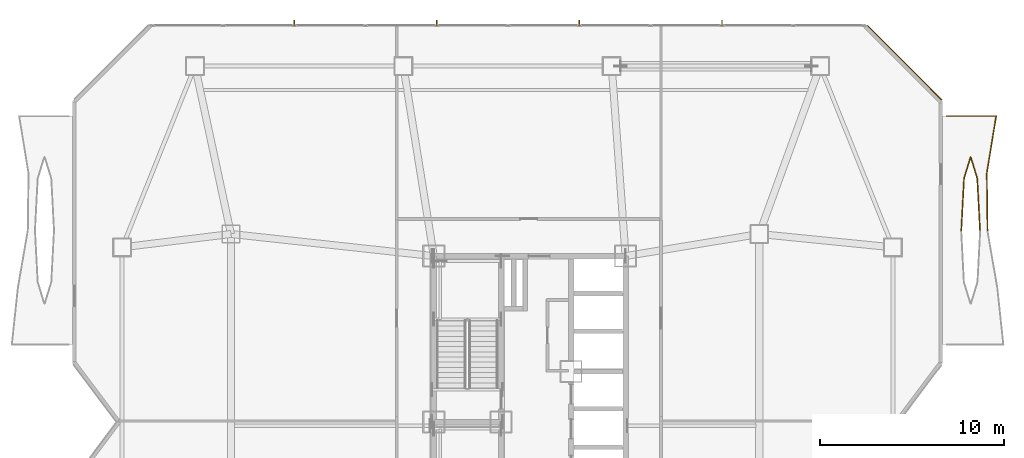
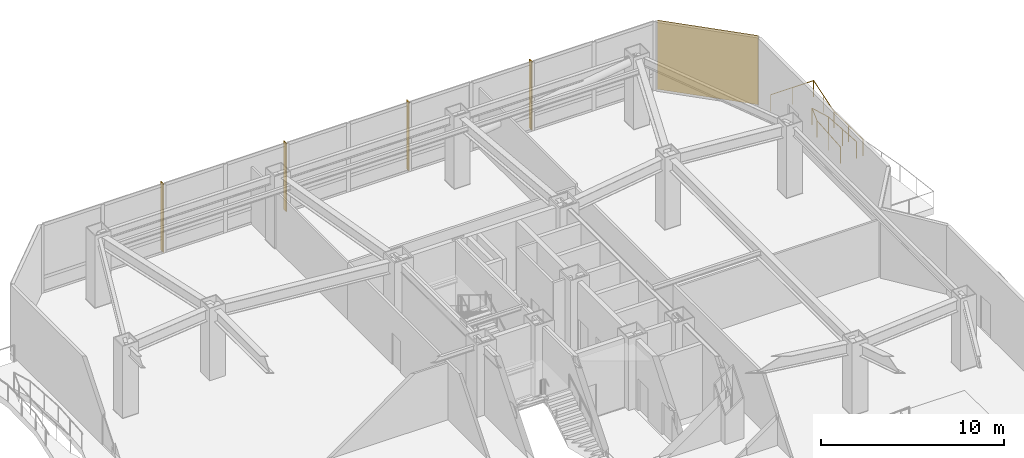
# One storey, part 14 of 14: 4 shading devices, 2 railings, 1 covering.
"""IFC4 building model written with IfcOpenShell, lengths in metres."""

from ifc_helpers import new_model, si_unit, direction, frame, origin, origin_2d, place, context, subcontext, project, spatial, rectangle, circle, extrude, material, layer, layer_set, type_object, element, save


model = new_model("IFC4")

# Units and contexts
model_context = context("Model", 3, precision=1e-05, world=origin(), true_north=direction((0.0, 1.0)))
body_context = subcontext(model_context, "Body", "Model", "MODEL_VIEW")
ifc_project = project(units=[si_unit("LENGTHUNIT", "METRE"), si_unit("AREAUNIT", "SQUARE_METRE"), si_unit("VOLUMEUNIT", "CUBIC_METRE"), si_unit("PLANEANGLEUNIT", "RADIAN"), si_unit("MASSUNIT", "GRAM", prefix="KILO")], contexts=[model_context])

# Site, building, storey
site_placement = place(None, origin())
site = spatial("IfcSite", under=ifc_project, at=site_placement, CompositionType="ELEMENT")
building_placement = place(site_placement, origin())
building = spatial("IfcBuilding", under=site, at=building_placement, Name="Khamvora Tower", CompositionType="ELEMENT")
storey_placement = place(building_placement, frame((0.0, 0.0, 89.800048828125)))
storey = spatial("IfcBuildingStorey", under=building, at=storey_placement, Name="L22", CompositionType="ELEMENT", Elevation=89.800048828125)

# Covering
ifc_material_1 = material(Name="Pale Anodised Aluminium Rainscreen Panel", Category="aluminium")
ifc_layer = layer(ifc_material_1, 0.044921875)
ifc_layer_set = layer_set([ifc_layer], Name="Pale Anodised Aluminium Rainscreen Panel")
covering_type = type_object("IfcCoveringType", Name="COV-CLD-ALU", PredefinedType="CLADDING", material=ifc_layer_set)
covering_placement = place(storey_placement, frame((54.534912109375, 47.489990234375, 0.0), z_axis=(0.0, 0.0, 1.0), x_axis=(0.707106781187, -0.707106781187, 0.0)))
element("IfcCovering", 1, at=covering_placement, inside=storey, type_object=covering_type, Name="L22 chamfer rainscreen cladding 08.1", PredefinedType="CLADDING", context=body_context, shape_type="SweptSolid", body=[
    extrude(rectangle(XDim=5.693115234375, YDim=0.044921875, at=origin_2d()), origin(), (0.0, 0.0, 1.0), 4.580078125),
])

# Railings
ifc_material_2 = material(Name="Stainless Steel 316 and Laminated Glass", Category="steel")
railing_type = type_object("IfcRailingType", Name="RAL-GAL-1120", PredefinedType="GUARDRAIL", material=ifc_material_2)
railing_1_placement = place(storey_placement, frame((59.032958984375, 38.39990234375, 0.0)))
element("IfcRailing", 2, at=railing_1_placement, inside=storey, type_object=railing_type, Name="L22 lens gallery north perimeter guardrail EL2", PredefinedType="GUARDRAIL", context=body_context, shape_type="SweptSolid", body=[
    extrude(circle(Radius=0.02392578125, at=origin_2d()), frame((0.0, 0.0, 1.09619140625), z_axis=(-0.012599409347, 0.999920624292, 0.0), x_axis=(-0.999920624292, -0.012599409347, 0.0)), (0.0, 0.0, 1.0), 3.100341796875),
    extrude(circle(Radius=0.02392578125, at=origin_2d()), frame((-0.0390625, 3.10009765625, 1.09619140625), z_axis=(0.16202934976, 0.986785939207, 0.0), x_axis=(-0.986785939207, 0.16202934976, 0.0)), (0.0, 0.0, 1.0), 3.1416015625),
    extrude(circle(Radius=0.02392578125, at=origin_2d()), frame((0.469970703125, 6.2001953125, 1.09619140625), z_axis=(-1.0, 0.0, 0.0), x_axis=(0.0, -1.0, 0.0)), (0.0, 0.0, 1.0), 2.702880859375),
    extrude(circle(Radius=0.02099609375, at=origin_2d()), origin(), (0.0, 0.0, 1.0), 1.072021484375),
    extrude(circle(Radius=0.02099609375, at=origin_2d()), frame((-0.01953125, 1.550048828125, 0.0)), (0.0, 0.0, 1.0), 1.072021484375),
    extrude(circle(Radius=0.02099609375, at=origin_2d()), frame((-0.0390625, 3.10009765625, 0.0)), (0.0, 0.0, 1.0), 1.072021484375),
    extrude(circle(Radius=0.02099609375, at=origin_2d()), frame((0.21533203125, 4.650146484375, 0.0)), (0.0, 0.0, 1.0), 1.072021484375),
    extrude(circle(Radius=0.02099609375, at=origin_2d()), frame((0.469970703125, 6.2001953125, 0.0)), (0.0, 0.0, 1.0), 1.072021484375),
    extrude(circle(Radius=0.02099609375, at=origin_2d()), frame((-0.88134765625, 6.2001953125, 0.0)), (0.0, 0.0, 1.0), 1.072021484375),
    extrude(circle(Radius=0.02099609375, at=origin_2d()), frame((-2.23291015625, 6.2001953125, 0.0)), (0.0, 0.0, 1.0), 1.072021484375),
])
railing_2_placement = place(storey_placement, frame((58.618896484375, 38.39990234375, 0.0)))
element("IfcRailing", 3, at=railing_2_placement, inside=storey, type_object=railing_type, Name="L22 lens gallery void guardrail EL2A", PredefinedType="GUARDRAIL", context=body_context, shape_type="SweptSolid", body=[
    extrude(circle(Radius=0.02392578125, at=origin_2d()), frame((0.0, 0.0, 1.09619140625), z_axis=(-0.05265003421, 0.998613025099, 0.0), x_axis=(-0.998613025099, -0.05265003421, 0.0)), (0.0, 0.0, 1.0), 2.81005859375),
    extrude(circle(Radius=0.02392578125, at=origin_2d()), frame((-0.14794921875, 2.80615234375, 1.09619140625), z_axis=(-0.292927952476, 0.956134517031, 0.0), x_axis=(-0.956134517031, -0.292927952476, 0.0)), (0.0, 0.0, 1.0), 1.215087890625),
    extrude(circle(Radius=0.02392578125, at=origin_2d()), frame((-0.50390625, 3.968017578125, 1.09619140625), z_axis=(-0.292927952476, -0.956134517031, 0.0), x_axis=(0.956134517031, -0.292927952476, 0.0)), (0.0, 0.0, 1.0), 1.215087890625),
    extrude(circle(Radius=0.02392578125, at=origin_2d()), frame((-0.85986328125, 2.80615234375, 1.09619140625), z_axis=(-0.05265003421, -0.998613025099, 0.0), x_axis=(0.998613025099, -0.05265003421, 0.0)), (0.0, 0.0, 1.0), 2.81005859375),
    extrude(circle(Radius=0.02099609375, at=origin_2d()), origin(), (0.0, 0.0, 1.0), 1.072021484375),
    extrude(circle(Radius=0.02099609375, at=origin_2d()), frame((-0.073974609375, 1.403076171875, 0.0)), (0.0, 0.0, 1.0), 1.072021484375),
    extrude(circle(Radius=0.02099609375, at=origin_2d()), frame((-0.14794921875, 2.80615234375, 0.0)), (0.0, 0.0, 1.0), 1.072021484375),
    extrude(circle(Radius=0.02099609375, at=origin_2d()), frame((-0.50390625, 3.968017578125, 0.0)), (0.0, 0.0, 1.0), 1.072021484375),
    extrude(circle(Radius=0.02099609375, at=origin_2d()), frame((-0.85986328125, 2.80615234375, 0.0)), (0.0, 0.0, 1.0), 1.072021484375),
    extrude(circle(Radius=0.02099609375, at=origin_2d()), frame((-0.933837890625, 1.403076171875, 0.0)), (0.0, 0.0, 1.0), 1.072021484375),
    extrude(circle(Radius=0.02099609375, at=origin_2d()), frame((-1.0078125, 0.0, 0.0)), (0.0, 0.0, 1.0), 1.072021484375),
])

# Shading devices
ifc_material_3 = material(Name="Pale Anodised Aluminium 6063-T6", Category="aluminium")
shading_device_type = type_object("IfcShadingDeviceType", Name="SHD-FIN-280", PredefinedType="USERDEFINED", material=ifc_material_3)
for number, where, z_axis, x_axis, name in (
    (4, (21.43310546875, 49.6650390625, 0.0), (0.0, 0.0, 1.0), (1.0, 0.0, 0.0), "L22 anodised bronze solar fin 07.01"),
    (5, (29.1650390625, 49.6650390625, 0.0), (0.0, 0.0, 1.0), (1.0, 0.0, 0.0), "L22 anodised bronze solar fin 07.02"),
    (6, (36.89599609375, 49.6650390625, 0.0), (0.0, 0.0, 1.0), (1.0, 0.0, 0.0), "L22 anodised bronze solar fin 07.03"),
    (7, (44.6279296875, 49.6650390625, 0.0), (0.0, 0.0, 1.0), (1.0, 0.0, 0.0), "L22 anodised bronze solar fin 07.04"),
):
    element("IfcShadingDevice", number, at=place(storey_placement, frame(where, z_axis=z_axis, x_axis=x_axis)), inside=storey, type_object=shading_device_type, Name=name, ObjectType="FIN", PredefinedType="USERDEFINED", context=body_context, shape_type="SweptSolid", body=[
        extrude(rectangle(XDim=0.050048828125, YDim=0.280029296875, at=origin_2d()), origin(), (0.0, 0.0, 1.0), 4.580078125),
    ])

save(model, "model.ifc")
